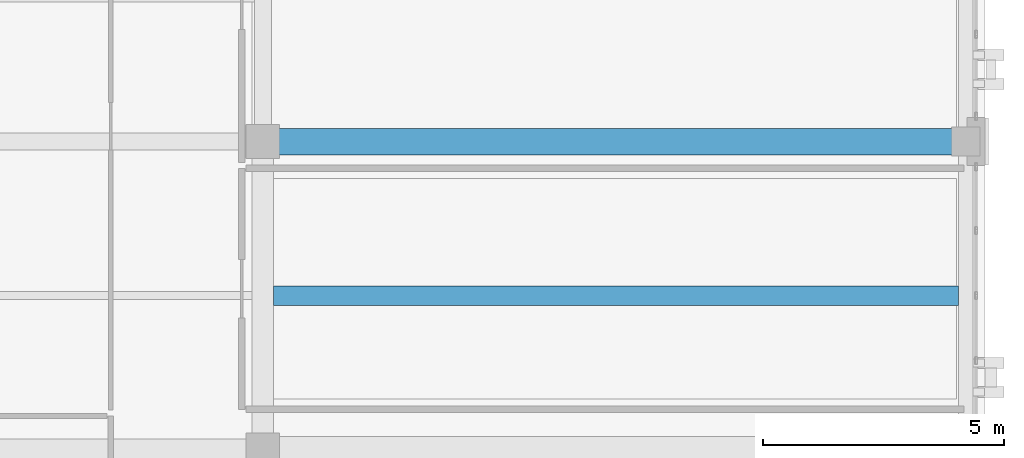
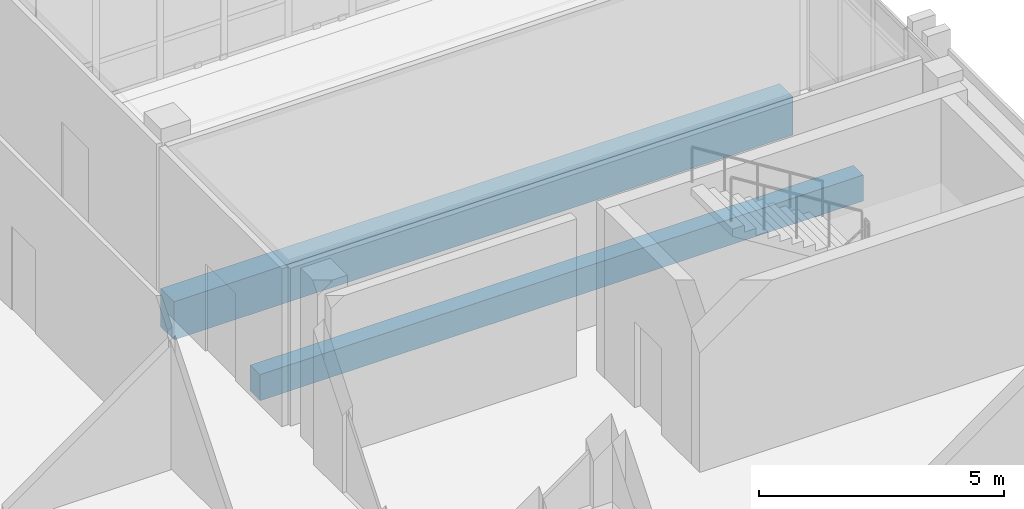
# One storey, part 40 of 77: 2 beams.
"""IFC4 building model written with IfcOpenShell, lengths in metres."""

from ifc_helpers import new_model, si_unit, direction, frame, origin, origin_2d, place, context, subcontext, project, spatial, rectangle, extrude, material, material_profile, profile_set, type_object, element, save


model = new_model("IFC4")

# Units and contexts
model_context = context("Model", 3, precision=1e-05, world=origin(), true_north=direction((0.0, 1.0)))
body_context = subcontext(model_context, "Body", "Model", "MODEL_VIEW")
ifc_project = project(units=[si_unit("LENGTHUNIT", "METRE"), si_unit("AREAUNIT", "SQUARE_METRE"), si_unit("VOLUMEUNIT", "CUBIC_METRE"), si_unit("PLANEANGLEUNIT", "RADIAN"), si_unit("MASSUNIT", "GRAM", prefix="KILO")], contexts=[model_context])

# Site, building, storey
site_placement = place(None, origin())
site = spatial("IfcSite", under=ifc_project, at=site_placement, CompositionType="ELEMENT")
building_placement = place(site_placement, origin())
building = spatial("IfcBuilding", under=site, at=building_placement, Name="Qalavern Law Courts", CompositionType="ELEMENT")
storey_placement = place(building_placement, frame((0.0, 0.0, 27.0)))
storey = spatial("IfcBuildingStorey", under=building, at=storey_placement, Name="L06", CompositionType="ELEMENT", Elevation=27.0)

# Beams
ifc_material_1 = material(Name="Concrete C40/50", Category="concrete")
ifc_material_profile_1 = material_profile(ifc_material_1, rectangle(XDim=0.550048828125, YDim=0.949951171875, at=origin_2d()), Name="RC 550x950")
ifc_profile_set_1 = profile_set([ifc_material_profile_1], Name="Concrete C40/50")
beam_type_1 = type_object("IfcBeamType", Name="STR-BM-RC550x950", PredefinedType="BEAM", material=ifc_profile_set_1)
beam_1_placement = place(storey_placement, frame((91.800048828125, 79.199951171875, -0.7451171875), z_axis=(1.0, 0.0, 0.0), x_axis=(0.0, 1.0, 0.0)))
element("IfcBeam", 1, at=beam_1_placement, inside=storey, type_object=beam_type_1, Name="V4 X-beam 6-2 L06", PredefinedType="BEAM", context=body_context, shape_type="SweptSolid", body=[
    extrude(rectangle(XDim=0.550048828125, YDim=0.949951171875, at=origin_2d()), origin(), (0.0, 0.0, 1.0), 14.599853515625),
])
ifc_material_2 = material(Name="Concrete C35/45", Category="concrete")
ifc_material_profile_2 = material_profile(ifc_material_2, rectangle(XDim=0.39990234375, YDim=0.64990234375, at=origin_2d()), Name="RC 400x650")
ifc_profile_set_2 = profile_set([ifc_material_profile_2], Name="Concrete C35/45")
beam_type_2 = type_object("IfcBeamType", Name="STR-JST-RC400x650", PredefinedType="JOIST", material=ifc_profile_set_2)
beam_2_placement = place(storey_placement, frame((92.02294921875, 76.0, -0.594970703125), z_axis=(1.0, 0.0, 0.0), x_axis=(0.0, 1.0, 0.0)))
element("IfcBeam", 2, at=beam_2_placement, inside=storey, type_object=beam_type_2, Name="V4 secondary joist 2.5.1 L06", PredefinedType="JOIST", context=body_context, shape_type="SweptSolid", body=[
    extrude(rectangle(XDim=0.39990234375, YDim=0.64990234375, at=origin_2d()), origin(), (0.0, 0.0, 1.0), 14.22900390625),
])

save(model, "model.ifc")
